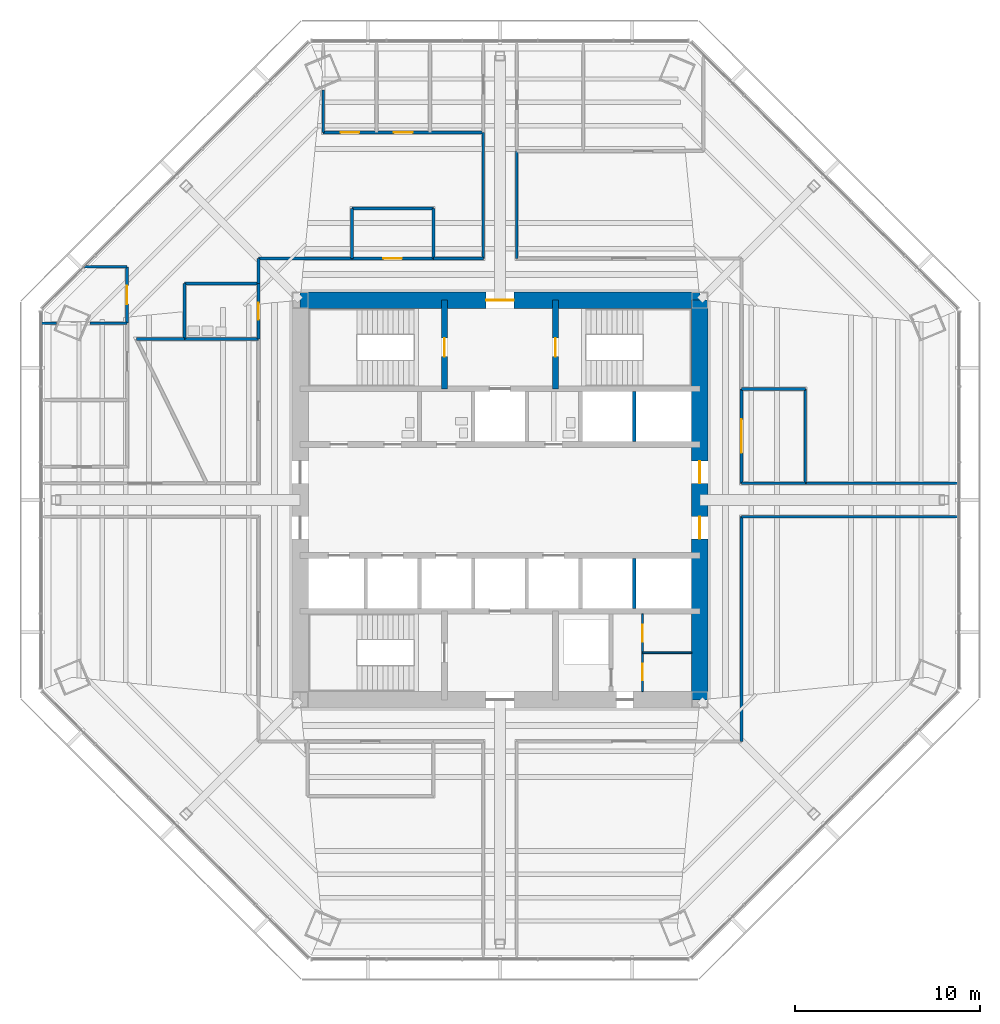
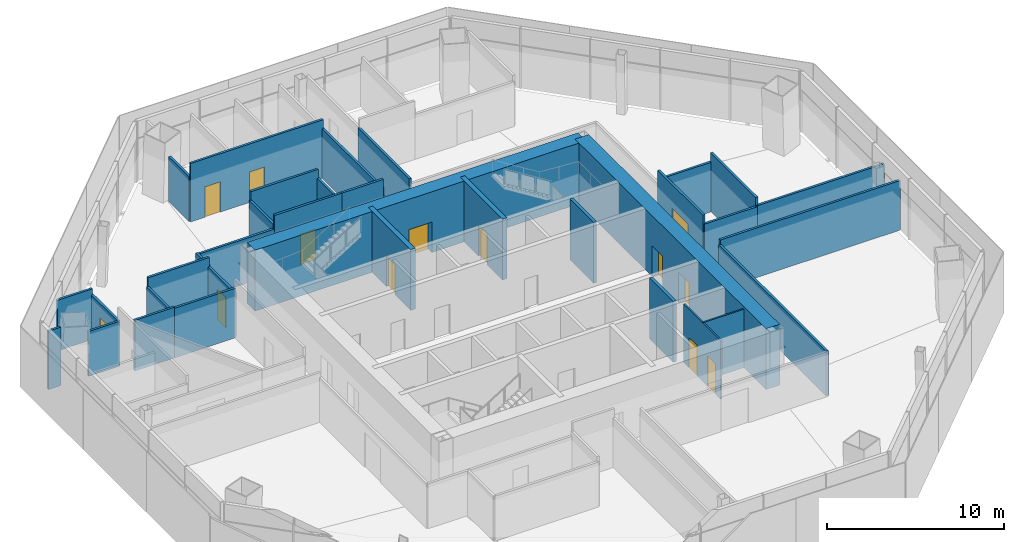
# One storey, part 10 of 14: 35 walls, 13 doors, 13 openings.
"""IFC4 building model written with IfcOpenShell, lengths in metres."""

from ifc_helpers import new_model, si_unit, direction, frame, frame_2d, origin, place, context, subcontext, project, spatial, rectangle, extrude, material, layer, layer_set, type_object, element, fill, save


model = new_model("IFC4")

# Units and contexts
model_context = context("Model", 3, precision=1e-05, world=origin(), true_north=direction((0.0, 1.0)))
body_context = subcontext(model_context, "Body", "Model", "MODEL_VIEW")
ifc_project = project(units=[si_unit("LENGTHUNIT", "METRE"), si_unit("AREAUNIT", "SQUARE_METRE"), si_unit("VOLUMEUNIT", "CUBIC_METRE"), si_unit("PLANEANGLEUNIT", "RADIAN"), si_unit("MASSUNIT", "GRAM", prefix="KILO")], contexts=[model_context])

# Site, building, storey
site_placement = place(None, origin())
site = spatial("IfcSite", under=ifc_project, at=site_placement, CompositionType="ELEMENT")
building_placement = place(site_placement, origin())
building = spatial("IfcBuilding", under=site, at=building_placement, Name="Mashrafa Tower", CompositionType="ELEMENT")
storey_placement = place(building_placement, frame((0.0, 0.0, 113.39990234375)))
storey = spatial("IfcBuildingStorey", under=building, at=storey_placement, Name="L25", CompositionType="ELEMENT", Elevation=113.39990234375)

# Wall, opening, door
ifc_material_1 = material(Name="Concrete C60/75", Category="concrete")
ifc_layer_1 = layer(ifc_material_1, 0.300048828125)
ifc_layer_set_1 = layer_set([ifc_layer_1], Name="Core wall 300 C60/75")
wall_type_1 = type_object("IfcWallType", Name="Core wall 300 C60/75", PredefinedType="SOLIDWALL", material=ifc_layer_set_1)
wall_1_placement = place(storey_placement, frame((-3.0, 6.0, 0.0), z_axis=(0.0, 0.0, 1.0), x_axis=(0.0, 1.0, 0.0)))
wall_1 = element("IfcWall", 1, at=wall_1_placement, inside=storey, type_object=wall_type_1, Name="Core wall CX-NW L25", PredefinedType="SOLIDWALL", context=body_context, shape_type="SweptSolid", body=[
    extrude(rectangle(XDim=4.800048828125, YDim=0.300048828125, at=frame_2d((2.39990234375, 0.0))), origin(), (0.0, 0.0, 1.0), 4.2001953125),
])
opening_1_placement = place(wall_1_placement, frame((1.75, 0.0, 0.0)))
opening_1 = element("IfcOpeningElement", 2, at=opening_1_placement, cuts=wall_1, Name="Opening 25.024", PredefinedType="OPENING", context=body_context, shape_type="SweptSolid", body=[
    extrude(rectangle(XDim=1.0, YDim=2.10009765625, at=frame_2d((0.5, 1.050048828125))), frame((0.0, 0.159912109375, 0.0), z_axis=(0.0, -1.0, 0.0), x_axis=(1.0, 0.0, 0.0)), (0.0, 0.0, 1.0), 0.320068359375),
])
ifc_material_2 = material(Name="Steel door", Category="steel")
door_type_1 = type_object("IfcDoorType", Name="Stair door 1000 x 2100 90 min", OperationType="USERDEFINED", PredefinedType="DOOR", material=ifc_material_2)
door_1_placement = place(opening_1_placement, origin())
door_1 = element("IfcDoor", 3, at=door_1_placement, inside=storey, type_object=door_type_1, Name="Stair S1 door L25", OperationType="SINGLE_SWING_LEFT", OverallHeight=2.10009765625, OverallWidth=1.0, PredefinedType="DOOR", context=body_context, shape_type="SweptSolid", body=[
    extrude(rectangle(XDim=1.0, YDim=2.10009765625, at=frame_2d((0.5, 1.050048828125))), frame((0.0, 0.02490234375, 0.0), z_axis=(0.0, -1.0, 0.0), x_axis=(1.0, 0.0, 0.0)), (0.0, 0.0, 1.0), 0.050048828125),
])
fill(opening_1, door_1)

wall_2_placement = place(storey_placement, frame((3.0, 6.0, 0.0), z_axis=(0.0, 0.0, 1.0), x_axis=(0.0, 1.0, 0.0)))
wall_2 = element("IfcWall", 4, at=wall_2_placement, inside=storey, type_object=wall_type_1, Name="Core wall CX-NE L25", PredefinedType="SOLIDWALL", context=body_context, shape_type="SweptSolid", body=[
    extrude(rectangle(XDim=4.800048828125, YDim=0.300048828125, at=frame_2d((2.39990234375, 0.0))), origin(), (0.0, 0.0, 1.0), 4.2001953125),
])
opening_2_placement = place(wall_2_placement, frame((1.75, 0.0, 0.0)))
opening_2 = element("IfcOpeningElement", 5, at=opening_2_placement, cuts=wall_2, Name="Opening 25.025", PredefinedType="OPENING", context=body_context, shape_type="SweptSolid", body=[
    extrude(rectangle(XDim=1.0, YDim=2.10009765625, at=frame_2d((0.5, 1.050048828125))), frame((0.0, 0.159912109375, 0.0), z_axis=(0.0, -1.0, 0.0), x_axis=(1.0, 0.0, 0.0)), (0.0, 0.0, 1.0), 0.320068359375),
])
door_2_placement = place(opening_2_placement, frame((1.0, 0.0, 0.0), z_axis=(0.0, 0.0, 1.0), x_axis=(-1.0, 0.0, 0.0)))
door_2 = element("IfcDoor", 6, at=door_2_placement, inside=storey, type_object=door_type_1, Name="Stair S2 door L25", OperationType="SINGLE_SWING_RIGHT", OverallHeight=2.10009765625, OverallWidth=1.0, PredefinedType="DOOR", context=body_context, shape_type="SweptSolid", body=[
    extrude(rectangle(XDim=1.0, YDim=2.10009765625, at=frame_2d((0.5, 1.050048828125))), frame((0.0, 0.02490234375, 0.0), z_axis=(0.0, -1.0, 0.0), x_axis=(1.0, 0.0, 0.0)), (0.0, 0.0, 1.0), 0.050048828125),
])
fill(opening_2, door_2)

# Wall, openings, doors
ifc_material_3 = material(Name="Concrete C60/75", Category="concrete")
ifc_layer_2 = layer(ifc_material_3, 0.89990234375)
ifc_layer_set_2 = layer_set([ifc_layer_2], Name="Core wall 900 C60/75")
wall_type_2 = type_object("IfcWallType", Name="Core wall 900 C60/75", PredefinedType="SOLIDWALL", material=ifc_layer_set_2)
wall_3_placement = place(storey_placement, frame((10.800048828125, -10.800048828125, 0.0), z_axis=(0.0, 0.0, 1.0), x_axis=(0.0, 1.0, 0.0)))
wall_3 = element("IfcWall", 7, at=wall_3_placement, inside=storey, type_object=wall_type_2, Name="Core wall CW-E L25", PredefinedType="SOLIDWALL", context=body_context, shape_type="SweptSolid", body=[
    extrude(rectangle(XDim=21.60009765625, YDim=0.89990234375, at=frame_2d((10.800048828125, 0.0))), origin(), (0.0, 0.0, 1.0), 4.2001953125),
])
opening_3_placement = place(wall_3_placement, frame((11.699951171875, 0.0, 0.0)))
opening_3 = element("IfcOpeningElement", 8, at=opening_3_placement, cuts=wall_3, Name="Opening 25.018", PredefinedType="OPENING", context=body_context, shape_type="SweptSolid", body=[
    extrude(rectangle(XDim=1.199951171875, YDim=2.10009765625, at=frame_2d((0.60009765625, 1.050048828125))), frame((0.0, 0.4599609375, 0.0), z_axis=(0.0, -1.0, 0.0), x_axis=(1.0, 0.0, 0.0)), (0.0, 0.0, 1.0), 0.919921875),
])
opening_4_placement = place(wall_3_placement, frame((8.699951171875, 0.0, 0.0)))
opening_4 = element("IfcOpeningElement", 9, at=opening_4_placement, cuts=wall_3, Name="Opening 25.020", PredefinedType="OPENING", context=body_context, shape_type="SweptSolid", body=[
    extrude(rectangle(XDim=1.199951171875, YDim=2.10009765625, at=frame_2d((0.60009765625, 1.050048828125))), frame((0.0, 0.4599609375, 0.0), z_axis=(0.0, -1.0, 0.0), x_axis=(1.0, 0.0, 0.0)), (0.0, 0.0, 1.0), 0.919921875),
])
ifc_material_4 = material(Name="Steel door", Category="steel")
door_type_2 = type_object("IfcDoorType", Name="Lift hall door 1200 x 2100 90 min", OperationType="USERDEFINED", PredefinedType="DOOR", material=ifc_material_4)
door_3_placement = place(opening_3_placement, frame((1.199951171875, 0.0, 0.0), z_axis=(0.0, 0.0, 1.0), x_axis=(-1.0, 0.0, 0.0)))
door_3 = element("IfcDoor", 10, at=door_3_placement, inside=storey, type_object=door_type_2, Name="Lift hall door east L25", OperationType="SINGLE_SWING_LEFT", OverallHeight=2.10009765625, OverallWidth=1.199951171875, PredefinedType="DOOR", context=body_context, shape_type="SweptSolid", body=[
    extrude(rectangle(XDim=1.199951171875, YDim=2.10009765625, at=frame_2d((0.60009765625, 1.050048828125))), frame((0.0, 0.02490234375, 0.0), z_axis=(0.0, -1.0, 0.0), x_axis=(1.0, 0.0, 0.0)), (0.0, 0.0, 1.0), 0.050048828125),
])
fill(opening_3, door_3)
door_4_placement = place(opening_4_placement, frame((1.199951171875, 0.0, 0.0), z_axis=(0.0, 0.0, 1.0), x_axis=(-1.0, 0.0, 0.0)))
door_4 = element("IfcDoor", 11, at=door_4_placement, inside=storey, type_object=door_type_2, Name="Lift hall door east L25", OperationType="SINGLE_SWING_RIGHT", OverallHeight=2.10009765625, OverallWidth=1.199951171875, PredefinedType="DOOR", context=body_context, shape_type="SweptSolid", body=[
    extrude(rectangle(XDim=1.199951171875, YDim=2.10009765625, at=frame_2d((0.60009765625, 1.050048828125))), frame((0.0, 0.02490234375, 0.0), z_axis=(0.0, -1.0, 0.0), x_axis=(1.0, 0.0, 0.0)), (0.0, 0.0, 1.0), 0.050048828125),
])
fill(opening_4, door_4)

# Wall, opening, door
wall_4_placement = place(storey_placement, frame((10.800048828125, 10.800048828125, 0.0), z_axis=(0.0, 0.0, 1.0), x_axis=(-1.0, 0.0, 0.0)))
wall_4 = element("IfcWall", 12, at=wall_4_placement, inside=storey, type_object=wall_type_2, Name="Core wall CW-N L25", PredefinedType="SOLIDWALL", context=body_context, shape_type="SweptSolid", body=[
    extrude(rectangle(XDim=21.60009765625, YDim=0.89990234375, at=frame_2d((10.800048828125, 0.0))), origin(), (0.0, 0.0, 1.0), 4.2001953125),
])
opening_5_placement = place(wall_4_placement, frame((10.050048828125, 0.0, 0.0)))
opening_5 = element("IfcOpeningElement", 13, at=opening_5_placement, cuts=wall_4, Name="Opening 25.022", PredefinedType="OPENING", context=body_context, shape_type="SweptSolid", body=[
    extrude(rectangle(XDim=1.5, YDim=2.10009765625, at=frame_2d((0.75, 1.050048828125))), frame((0.0, 0.4599609375, 0.0), z_axis=(0.0, -1.0, 0.0), x_axis=(1.0, 0.0, 0.0)), (0.0, 0.0, 1.0), 0.919921875),
])
ifc_material_5 = material(Name="Steel door", Category="steel")
door_type_3 = type_object("IfcDoorType", Name="Lobby door pair 1500 x 2100 90 min", OperationType="DOUBLE_DOOR_SINGLE_SWING", PredefinedType="DOOR", material=ifc_material_5)
door_5_placement = place(opening_5_placement, origin())
door_5 = element("IfcDoor", 14, at=door_5_placement, inside=storey, type_object=door_type_3, Name="Fire-fighting lobby F1 door L25", OperationType="DOUBLE_DOOR_SINGLE_SWING", OverallHeight=2.10009765625, OverallWidth=1.5, PredefinedType="DOOR", context=body_context, shape_type="SweptSolid", body=[
    extrude(rectangle(XDim=1.5, YDim=2.10009765625, at=frame_2d((0.75, 1.050048828125))), frame((0.0, 0.02490234375, 0.0), z_axis=(0.0, -1.0, 0.0), x_axis=(1.0, 0.0, 0.0)), (0.0, 0.0, 1.0), 0.050048828125),
])
fill(opening_5, door_5)

ifc_material_6 = material(Name="Gypsum board on steel studs", Category="steel")
ifc_layer_3 = layer(ifc_material_6, 0.14990234375)
ifc_layer_set_3 = layer_set([ifc_layer_3], Name="Corridor partition 150 1 hr")
wall_type_3 = type_object("IfcWallType", Name="Corridor partition 150 1 hr", PredefinedType="PARTITIONING", material=ifc_layer_set_3)
wall_5_placement = place(storey_placement, frame((-13.050048828125, 11.700927734375, 0.0), z_axis=(0.0, 0.0, 1.0), x_axis=(0.0, -1.0, 0.0)))
wall_5 = element("IfcWall", 15, at=wall_5_placement, inside=storey, type_object=wall_type_3, Name="Corridor wall L25-003", PredefinedType="PARTITIONING", context=body_context, shape_type="SweptSolid", body=[
    extrude(rectangle(XDim=3.001953125, YDim=0.14990234375, at=frame_2d((1.5009765625, 0.0))), origin(), (0.0, 0.0, 1.0), 3.097900390625),
])
opening_6_placement = place(wall_5_placement, frame((1.051025390625, 0.0, 0.0)))
opening_6 = element("IfcOpeningElement", 16, at=opening_6_placement, cuts=wall_5, Name="Opening 25.002", PredefinedType="OPENING", context=body_context, shape_type="SweptSolid", body=[
    extrude(rectangle(XDim=0.89990234375, YDim=2.10009765625, at=frame_2d((0.449951171875, 1.050048828125))), frame((0.0, 0.0849609375, 0.0), z_axis=(0.0, -1.0, 0.0), x_axis=(1.0, 0.0, 0.0)), (0.0, 0.0, 1.0), 0.169921875),
])
ifc_material_7 = material(Name="Timber door", Category="wood")
door_type_4 = type_object("IfcDoorType", Name="Toilet door 900 x 2100", OperationType="USERDEFINED", PredefinedType="DOOR", material=ifc_material_7)
door_6_placement = place(opening_6_placement, frame((0.89990234375, 0.0, 0.0), z_axis=(0.0, 0.0, 1.0), x_axis=(-1.0, 0.0, 0.0)))
door_6 = element("IfcDoor", 17, at=door_6_placement, inside=storey, type_object=door_type_4, Name="Ablution Room L25 door", OperationType="SINGLE_SWING_RIGHT", OverallHeight=2.10009765625, OverallWidth=0.89990234375, PredefinedType="DOOR", context=body_context, shape_type="SweptSolid", body=[
    extrude(rectangle(XDim=0.89990234375, YDim=2.10009765625, at=frame_2d((0.449951171875, 1.050048828125))), frame((0.0, 0.02490234375, 0.0), z_axis=(0.0, -1.0, 0.0), x_axis=(1.0, 0.0, 0.0)), (0.0, 0.0, 1.0), 0.050048828125),
])
fill(opening_6, door_6)

# Wall
wall_6_placement = place(storey_placement, frame((16.5009765625, 0.89990234375, 0.0), z_axis=(0.0, 0.0, 1.0), x_axis=(-1.0, 0.0, 0.0)))
element("IfcWall", 18, at=wall_6_placement, inside=storey, type_object=wall_type_3, Name="Corridor wall L25-004", PredefinedType="PARTITIONING", context=body_context, shape_type="SweptSolid", body=[
    extrude(rectangle(XDim=3.450927734375, YDim=0.14990234375, at=frame_2d((1.7255859375, 0.0))), origin(), (0.0, 0.0, 1.0), 3.42578125),
])

# Wall, opening, door
wall_7_placement = place(storey_placement, frame((13.050048828125, 0.89990234375, 0.0), z_axis=(0.0, 0.0, 1.0), x_axis=(0.0, 1.0, 0.0)))
wall_7 = element("IfcWall", 19, at=wall_7_placement, inside=storey, type_object=wall_type_3, Name="Corridor wall L25-005", PredefinedType="PARTITIONING", context=body_context, shape_type="SweptSolid", body=[
    extrude(rectangle(XDim=5.10107421875, YDim=0.14990234375, at=frame_2d((2.550537109375, 0.0))), origin(), (0.0, 0.0, 1.0), 4.03515625),
])
opening_7_placement = place(wall_7_placement, frame((1.650390625, 0.0, 0.0)))
opening_7 = element("IfcOpeningElement", 20, at=opening_7_placement, cuts=wall_7, Name="Opening 25.003", PredefinedType="OPENING", context=body_context, shape_type="SweptSolid", body=[
    extrude(rectangle(XDim=1.800048828125, YDim=2.39990234375, at=frame_2d((0.89990234375, 1.199951171875))), frame((0.0, 0.0849609375, 0.0), z_axis=(0.0, -1.0, 0.0), x_axis=(1.0, 0.0, 0.0)), (0.0, 0.0, 1.0), 0.169921875),
])
ifc_material_8 = material(Name="Steel door", Category="steel")
door_type_5 = type_object("IfcDoorType", Name="Door pair 1800 x 2400 90 min", OperationType="DOUBLE_DOOR_SINGLE_SWING", PredefinedType="DOOR", material=ifc_material_8)
door_7_placement = place(opening_7_placement, origin())
door_7 = element("IfcDoor", 21, at=door_7_placement, inside=storey, type_object=door_type_5, Name="Reception Majlis 25 door", OperationType="DOUBLE_DOOR_SINGLE_SWING", OverallHeight=2.39990234375, OverallWidth=1.800048828125, PredefinedType="DOOR", context=body_context, shape_type="SweptSolid", body=[
    extrude(rectangle(XDim=1.800048828125, YDim=2.39990234375, at=frame_2d((0.89990234375, 1.199951171875))), frame((0.0, 0.02490234375, 0.0), z_axis=(0.0, -1.0, 0.0), x_axis=(1.0, 0.0, 0.0)), (0.0, 0.0, 1.0), 0.050048828125),
])
fill(opening_7, door_7)

wall_8_placement = place(storey_placement, frame((-3.59912109375, 13.050048828125, 0.0), z_axis=(0.0, 0.0, 1.0), x_axis=(-1.0, 0.0, 0.0)))
wall_8 = element("IfcWall", 22, at=wall_8_placement, inside=storey, type_object=wall_type_3, Name="Corridor wall L25-008", PredefinedType="PARTITIONING", context=body_context, shape_type="SweptSolid", body=[
    extrude(rectangle(XDim=4.40185546875, YDim=0.14990234375, at=frame_2d((2.200927734375, 0.0))), origin(), (0.0, 0.0, 1.0), 4.03515625),
])
opening_8_placement = place(wall_8_placement, frame((1.700927734375, 0.0, 0.0)))
opening_8 = element("IfcOpeningElement", 23, at=opening_8_placement, cuts=wall_8, Name="Opening 25.007", PredefinedType="OPENING", context=body_context, shape_type="SweptSolid", body=[
    extrude(rectangle(XDim=1.0, YDim=2.10009765625, at=frame_2d((0.5, 1.050048828125))), frame((0.0, 0.0849609375, 0.0), z_axis=(0.0, -1.0, 0.0), x_axis=(1.0, 0.0, 0.0)), (0.0, 0.0, 1.0), 0.169921875),
])
ifc_material_9 = material(Name="Timber door", Category="wood")
door_type_6 = type_object("IfcDoorType", Name="Door 1000 x 2100", OperationType="USERDEFINED", PredefinedType="DOOR", material=ifc_material_9)
door_8_placement = place(opening_8_placement, frame((1.0, 0.0, 0.0), z_axis=(0.0, 0.0, 1.0), x_axis=(-1.0, 0.0, 0.0)))
door_8 = element("IfcDoor", 24, at=door_8_placement, inside=storey, type_object=door_type_6, Name="Pantry 25 door", OperationType="SINGLE_SWING_LEFT", OverallHeight=2.10009765625, OverallWidth=1.0, PredefinedType="DOOR", context=body_context, shape_type="SweptSolid", body=[
    extrude(rectangle(XDim=1.0, YDim=2.10009765625, at=frame_2d((0.5, 1.050048828125))), frame((0.0, 0.02490234375, 0.0), z_axis=(0.0, -1.0, 0.0), x_axis=(1.0, 0.0, 0.0)), (0.0, 0.0, 1.0), 0.050048828125),
])
fill(opening_8, door_8)

# Walls
wall_9_placement = place(storey_placement, frame((0.89990234375, 13.050048828125, 0.0), z_axis=(0.0, 0.0, 1.0), x_axis=(0.0, 1.0, 0.0)))
element("IfcWall", 25, at=wall_9_placement, inside=storey, type_object=wall_type_3, Name="Corridor wall L25-012", PredefinedType="PARTITIONING", context=body_context, shape_type="SweptSolid", body=[
    extrude(rectangle(XDim=5.807861328125, YDim=0.14990234375, at=frame_2d((2.90380859375, 0.0))), origin(), (0.0, 0.0, 1.0), 3.42578125),
])
wall_10_placement = place(storey_placement, frame((24.788818359375, 0.89990234375, 0.0), z_axis=(0.0, 0.0, 1.0), x_axis=(-1.0, 0.0, 0.0)))
element("IfcWall", 26, at=wall_10_placement, inside=storey, type_object=wall_type_3, Name="Corridor wall L25-013", PredefinedType="PARTITIONING", context=body_context, shape_type="SweptSolid", body=[
    extrude(rectangle(XDim=8.289794921875, YDim=0.14990234375, at=frame_2d((4.14501953125, 0.0))), origin(), (0.0, 0.0, 1.0), 3.49169921875),
])
wall_11_placement = place(storey_placement, frame((-7.9990234375, 13.050048828125, 0.0), z_axis=(0.0, 0.0, 1.0), x_axis=(-1.0, 0.0, 0.0)))
element("IfcWall", 27, at=wall_11_placement, inside=storey, type_object=wall_type_3, Name="Corridor wall L25-015", PredefinedType="PARTITIONING", context=body_context, shape_type="SweptSolid", body=[
    extrude(rectangle(XDim=5.051025390625, YDim=0.14990234375, at=frame_2d((2.525390625, 0.0))), origin(), (0.0, 0.0, 1.0), 3.097900390625),
])
wall_12_placement = place(storey_placement, frame((-13.050048828125, 13.050048828125, 0.0), z_axis=(0.0, 0.0, 1.0), x_axis=(0.0, -1.0, 0.0)))
element("IfcWall", 28, at=wall_12_placement, inside=storey, type_object=wall_type_3, Name="Corridor wall L25-016", PredefinedType="PARTITIONING", context=body_context, shape_type="SweptSolid", body=[
    extrude(rectangle(XDim=1.35107421875, YDim=0.14990234375, at=frame_2d((0.675537109375, 0.0))), origin(), (0.0, 0.0, 1.0), 3.184326171875),
])
wall_13_placement = place(storey_placement, frame((-0.89990234375, 19.85791015625, 0.0), z_axis=(0.0, 0.0, 1.0), x_axis=(0.0, -1.0, 0.0)))
element("IfcWall", 29, at=wall_13_placement, inside=storey, type_object=wall_type_3, Name="Corridor wall L25-017", PredefinedType="PARTITIONING", context=body_context, shape_type="SweptSolid", body=[
    extrude(rectangle(XDim=6.807861328125, YDim=0.14990234375, at=frame_2d((3.40380859375, 0.0))), origin(), (0.0, 0.0, 1.0), 3.42578125),
])
wall_14_placement = place(storey_placement, frame((-0.89990234375, 13.050048828125, 0.0), z_axis=(0.0, 0.0, 1.0), x_axis=(-1.0, 0.0, 0.0)))
element("IfcWall", 30, at=wall_14_placement, inside=storey, type_object=wall_type_3, Name="Corridor wall L25-018", PredefinedType="PARTITIONING", context=body_context, shape_type="SweptSolid", body=[
    extrude(rectangle(XDim=2.701171875, YDim=0.14990234375, at=frame_2d((1.3505859375, 0.0))), origin(), (0.0, 0.0, 1.0), 4.03515625),
])
wall_15_placement = place(storey_placement, frame((13.050048828125, -13.050048828125, 0.0), z_axis=(0.0, 0.0, 1.0), x_axis=(0.0, 1.0, 0.0)))
element("IfcWall", 31, at=wall_15_placement, inside=storey, type_object=wall_type_3, Name="Corridor wall L25-026", PredefinedType="PARTITIONING", context=body_context, shape_type="SweptSolid", body=[
    extrude(rectangle(XDim=12.150146484375, YDim=0.14990234375, at=frame_2d((6.0751953125, 0.0))), origin(), (0.0, 0.0, 1.0), 3.097900390625),
])
wall_16_placement = place(storey_placement, frame((13.050048828125, -0.89990234375, 0.0), z_axis=(0.0, 0.0, 1.0), x_axis=(1.0, 0.0, 0.0)))
element("IfcWall", 32, at=wall_16_placement, inside=storey, type_object=wall_type_3, Name="Corridor wall L25-027", PredefinedType="PARTITIONING", context=body_context, shape_type="SweptSolid", body=[
    extrude(rectangle(XDim=11.73876953125, YDim=0.14990234375, at=frame_2d((5.869384765625, 0.0))), origin(), (0.0, 0.0, 1.0), 3.42578125),
])
wall_17_placement = place(storey_placement, frame((16.5, 0.89990234375, 0.0), z_axis=(0.0, 0.0, 1.0), x_axis=(0.0, 1.0, 0.0)))
element("IfcWall", 33, at=wall_17_placement, inside=storey, type_object=wall_type_3, Name="Corridor wall L25-033", PredefinedType="PARTITIONING", context=body_context, shape_type="SweptSolid", body=[
    extrude(rectangle(XDim=5.10009765625, YDim=0.14990234375, at=frame_2d((2.550048828125, 0.0))), origin(), (0.0, 0.0, 1.0), 4.03515625),
])
wall_18_placement = place(storey_placement, frame((16.5, 6.0, 0.0), z_axis=(0.0, 0.0, 1.0), x_axis=(-1.0, 0.0, 0.0)))
element("IfcWall", 34, at=wall_18_placement, inside=storey, type_object=wall_type_3, Name="Corridor wall L25-034", PredefinedType="PARTITIONING", context=body_context, shape_type="SweptSolid", body=[
    extrude(rectangle(XDim=3.449951171875, YDim=0.14990234375, at=frame_2d((1.72509765625, 0.0))), origin(), (0.0, 0.0, 1.0), 3.42578125),
])

# Wall, openings, doors
ifc_material_10 = material(Name="Gypsum board on steel studs", Category="steel")
ifc_layer_4 = layer(ifc_material_10, 0.10009765625)
ifc_layer_set_4 = layer_set([ifc_layer_4], Name="Partition 100 1 hr")
wall_type_4 = type_object("IfcWallType", Name="Partition 100 1 hr", PredefinedType="PARTITIONING", material=ifc_layer_set_4)
wall_19_placement = place(storey_placement, frame((7.699951171875, -10.35009765625, 0.0), z_axis=(0.0, 0.0, 1.0), x_axis=(0.0, 1.0, 0.0)))
wall_19 = element("IfcWall", 35, at=wall_19_placement, inside=storey, type_object=wall_type_4, Name="Services lobby partition A L25", PredefinedType="PARTITIONING", context=body_context, shape_type="SweptSolid", body=[
    extrude(rectangle(XDim=4.2001953125, YDim=0.10009765625, at=frame_2d((2.10009765625, 0.0))), origin(), (0.0, 0.0, 1.0), 4.03515625),
])
opening_9_placement = place(wall_19_placement, frame((2.699951171875, 0.0, 0.0)))
opening_9 = element("IfcOpeningElement", 36, at=opening_9_placement, cuts=wall_19, Name="Opening 25.029", PredefinedType="OPENING", context=body_context, shape_type="SweptSolid", body=[
    extrude(rectangle(XDim=0.89990234375, YDim=2.10009765625, at=frame_2d((0.449951171875, 1.050048828125))), frame((0.0, 0.06005859375, 0.0), z_axis=(0.0, -1.0, 0.0), x_axis=(1.0, 0.0, 0.0)), (0.0, 0.0, 1.0), 0.1201171875),
])
opening_10_placement = place(wall_19_placement, frame((0.60009765625, 0.0, 0.0)))
opening_10 = element("IfcOpeningElement", 37, at=opening_10_placement, cuts=wall_19, Name="Opening 25.030", PredefinedType="OPENING", context=body_context, shape_type="SweptSolid", body=[
    extrude(rectangle(XDim=0.89990234375, YDim=2.10009765625, at=frame_2d((0.449951171875, 1.050048828125))), frame((0.0, 0.06005859375, 0.0), z_axis=(0.0, -1.0, 0.0), x_axis=(1.0, 0.0, 0.0)), (0.0, 0.0, 1.0), 0.1201171875),
])
ifc_material_11 = material(Name="Timber door", Category="wood")
door_type_7 = type_object("IfcDoorType", Name="Store door 900 x 2100", OperationType="USERDEFINED", PredefinedType="DOOR", material=ifc_material_11)
door_9_placement = place(opening_9_placement, frame((0.89990234375, 0.0, 0.0), z_axis=(0.0, 0.0, 1.0), x_axis=(-1.0, 0.0, 0.0)))
door_9 = element("IfcDoor", 38, at=door_9_placement, inside=storey, type_object=door_type_7, Name="Tenant Store L25 door", OperationType="SINGLE_SWING_RIGHT", OverallHeight=2.10009765625, OverallWidth=0.89990234375, PredefinedType="DOOR", context=body_context, shape_type="SweptSolid", body=[
    extrude(rectangle(XDim=0.89990234375, YDim=2.10009765625, at=frame_2d((0.449951171875, 1.050048828125))), frame((0.0, 0.02490234375, 0.0), z_axis=(0.0, -1.0, 0.0), x_axis=(1.0, 0.0, 0.0)), (0.0, 0.0, 1.0), 0.050048828125),
])
fill(opening_9, door_9)
door_10_placement = place(opening_10_placement, frame((0.89990234375, 0.0, 0.0), z_axis=(0.0, 0.0, 1.0), x_axis=(-1.0, 0.0, 0.0)))
door_10 = element("IfcDoor", 39, at=door_10_placement, inside=storey, type_object=door_type_7, Name="Cleaner's Store L25 door", OperationType="SINGLE_SWING_LEFT", OverallHeight=2.10009765625, OverallWidth=0.89990234375, PredefinedType="DOOR", context=body_context, shape_type="SweptSolid", body=[
    extrude(rectangle(XDim=0.89990234375, YDim=2.10009765625, at=frame_2d((0.449951171875, 1.050048828125))), frame((0.0, 0.02490234375, 0.0), z_axis=(0.0, -1.0, 0.0), x_axis=(1.0, 0.0, 0.0)), (0.0, 0.0, 1.0), 0.050048828125),
])
fill(opening_10, door_10)

# Walls
wall_20_placement = place(storey_placement, frame((7.699951171875, -8.25, 0.0), z_axis=(0.0, 0.0, 1.0), x_axis=(1.0, 0.0, 0.0)))
element("IfcWall", 40, at=wall_20_placement, inside=storey, type_object=wall_type_4, Name="Services lobby partition B L25", PredefinedType="PARTITIONING", context=body_context, shape_type="SweptSolid", body=[
    extrude(rectangle(XDim=2.650146484375, YDim=0.10009765625, at=frame_2d((1.3251953125, 0.0))), origin(), (0.0, 0.0, 1.0), 4.03515625),
])
ifc_material_12 = material(Name="Gypsum board on steel studs", Category="steel")
ifc_layer_5 = layer(ifc_material_12, 0.14990234375)
ifc_layer_set_5 = layer_set([ifc_layer_5], Name="Partition 150")
wall_type_5 = type_object("IfcWallType", Name="Partition 150", PredefinedType="PARTITIONING", material=ifc_layer_set_5)
wall_21_placement = place(storey_placement, frame((-13.050048828125, 8.699951171875, 0.0), z_axis=(0.0, 0.0, 1.0), x_axis=(-1.0, 0.0, 0.0)))
element("IfcWall", 41, at=wall_21_placement, inside=storey, type_object=wall_type_5, Name="Partition wall L25-028", PredefinedType="PARTITIONING", context=body_context, shape_type="SweptSolid", body=[
    extrude(rectangle(XDim=4.0009765625, YDim=0.14990234375, at=frame_2d((2.00048828125, 0.0))), origin(), (0.0, 0.0, 1.0), 3.42578125),
])
wall_22_placement = place(storey_placement, frame((-17.049072265625, 8.699951171875, 0.0), z_axis=(0.0, 0.0, 1.0), x_axis=(-1.0, 0.0, 0.0)))
element("IfcWall", 42, at=wall_22_placement, inside=storey, type_object=wall_type_5, Name="Partition wall L25-029", PredefinedType="PARTITIONING", context=body_context, shape_type="SweptSolid", body=[
    extrude(rectangle(XDim=2.600830078125, YDim=0.14990234375, at=frame_2d((1.30029296875, 0.0))), origin(), (0.0, 0.0, 1.0), 3.499267578125),
])
wall_23_placement = place(storey_placement, frame((-13.050048828125, 11.699951171875, 0.0), z_axis=(0.0, 0.0, 1.0), x_axis=(-1.0, 0.0, 0.0)))
element("IfcWall", 43, at=wall_23_placement, inside=storey, type_object=wall_type_5, Name="Partition wall L25-031", PredefinedType="PARTITIONING", context=body_context, shape_type="SweptSolid", body=[
    extrude(rectangle(XDim=4.0, YDim=0.14990234375, at=frame_2d((2.0, 0.0))), origin(), (0.0, 0.0, 1.0), 3.715087890625),
])
wall_24_placement = place(storey_placement, frame((-17.050048828125, 11.699951171875, 0.0), z_axis=(0.0, 0.0, 1.0), x_axis=(0.0, -1.0, 0.0)))
element("IfcWall", 44, at=wall_24_placement, inside=storey, type_object=wall_type_5, Name="Partition wall L25-032", PredefinedType="PARTITIONING", context=body_context, shape_type="SweptSolid", body=[
    extrude(rectangle(XDim=3.0, YDim=0.14990234375, at=frame_2d((1.5, 0.0))), origin(), (0.0, 0.0, 1.0), 3.097900390625),
])
wall_25_placement = place(storey_placement, frame((-3.60009765625, 13.050048828125, 0.0), z_axis=(0.0, 0.0, 1.0), x_axis=(0.0, 1.0, 0.0)))
element("IfcWall", 45, at=wall_25_placement, inside=storey, type_object=wall_type_5, Name="Partition wall L25-042", PredefinedType="PARTITIONING", context=body_context, shape_type="SweptSolid", body=[
    extrude(rectangle(XDim=2.699951171875, YDim=0.14990234375, at=frame_2d((1.35009765625, 0.0))), origin(), (0.0, 0.0, 1.0), 3.42578125),
])
wall_26_placement = place(storey_placement, frame((-3.60009765625, 15.75, 0.0), z_axis=(0.0, 0.0, 1.0), x_axis=(-1.0, 0.0, 0.0)))
element("IfcWall", 46, at=wall_26_placement, inside=storey, type_object=wall_type_5, Name="Partition wall L25-043", PredefinedType="PARTITIONING", context=body_context, shape_type="SweptSolid", body=[
    extrude(rectangle(XDim=4.39990234375, YDim=0.14990234375, at=frame_2d((2.199951171875, 0.0))), origin(), (0.0, 0.0, 1.0), 4.03515625),
])
wall_27_placement = place(storey_placement, frame((-8.0, 15.75, 0.0), z_axis=(0.0, 0.0, 1.0), x_axis=(0.0, -1.0, 0.0)))
element("IfcWall", 47, at=wall_27_placement, inside=storey, type_object=wall_type_5, Name="Partition wall L25-044", PredefinedType="PARTITIONING", context=body_context, shape_type="SweptSolid", body=[
    extrude(rectangle(XDim=2.699951171875, YDim=0.14990234375, at=frame_2d((1.35009765625, 0.0))), origin(), (0.0, 0.0, 1.0), 3.42578125),
])
wall_28_placement = place(storey_placement, frame((-24.788818359375, 9.555908203125, 0.0), z_axis=(0.0, 0.0, 1.0), x_axis=(1.0, 0.0, 0.0)))
element("IfcWall", 48, at=wall_28_placement, inside=storey, type_object=wall_type_5, Name="Partition wall L25-045", PredefinedType="PARTITIONING", context=body_context, shape_type="SweptSolid", body=[
    extrude(rectangle(XDim=0.817626953125, YDim=0.14990234375, at=frame_2d((0.40869140625, 0.0))), origin(), (0.0, 0.0, 1.0), 4.03515625),
])
wall_29_placement = place(storey_placement, frame((-22.166748046875, 9.555908203125, 0.0), z_axis=(0.0, 0.0, 1.0), x_axis=(1.0, 0.0, 0.0)))
element("IfcWall", 49, at=wall_29_placement, inside=storey, type_object=wall_type_5, Name="Partition wall L25-046", PredefinedType="PARTITIONING", context=body_context, shape_type="SweptSolid", body=[
    extrude(rectangle(XDim=2.010009765625, YDim=0.14990234375, at=frame_2d((1.0048828125, 0.0))), origin(), (0.0, 0.0, 1.0), 3.097900390625),
])

# Wall, opening, door
wall_30_placement = place(storey_placement, frame((-20.15673828125, 9.555908203125, 0.0), z_axis=(0.0, 0.0, 1.0), x_axis=(0.0, 1.0, 0.0)))
wall_30 = element("IfcWall", 50, at=wall_30_placement, inside=storey, type_object=wall_type_5, Name="Partition wall L25-047", PredefinedType="PARTITIONING", context=body_context, shape_type="SweptSolid", body=[
    extrude(rectangle(XDim=3.044189453125, YDim=0.14990234375, at=frame_2d((1.52197265625, 0.0))), origin(), (0.0, 0.0, 1.0), 3.097900390625),
])
opening_11_placement = place(wall_30_placement, frame((1.02197265625, 0.0, 0.0)))
opening_11 = element("IfcOpeningElement", 51, at=opening_11_placement, cuts=wall_30, Name="Opening 25.008", PredefinedType="OPENING", context=body_context, shape_type="SweptSolid", body=[
    extrude(rectangle(XDim=1.0, YDim=2.10009765625, at=frame_2d((0.5, 1.050048828125))), frame((0.0, 0.0849609375, 0.0), z_axis=(0.0, -1.0, 0.0), x_axis=(1.0, 0.0, 0.0)), (0.0, 0.0, 1.0), 0.169921875),
])
door_11_placement = place(opening_11_placement, origin())
door_11 = element("IfcDoor", 52, at=door_11_placement, inside=storey, type_object=door_type_6, Name="Case Officer's Office 25-NW-1 door", OperationType="SINGLE_SWING_RIGHT", OverallHeight=2.10009765625, OverallWidth=1.0, PredefinedType="DOOR", context=body_context, shape_type="SweptSolid", body=[
    extrude(rectangle(XDim=1.0, YDim=2.10009765625, at=frame_2d((0.5, 1.050048828125))), frame((0.0, 0.02490234375, 0.0), z_axis=(0.0, -1.0, 0.0), x_axis=(1.0, 0.0, 0.0)), (0.0, 0.0, 1.0), 0.050048828125),
])
fill(opening_11, door_11)

# Wall
wall_31_placement = place(storey_placement, frame((-20.15673828125, 12.60009765625, 0.0), z_axis=(0.0, 0.0, 1.0), x_axis=(-1.0, 0.0, 0.0)))
element("IfcWall", 53, at=wall_31_placement, inside=storey, type_object=wall_type_5, Name="Partition wall L25-048", PredefinedType="PARTITIONING", context=body_context, shape_type="SweptSolid", body=[
    extrude(rectangle(XDim=2.301513671875, YDim=0.14990234375, at=frame_2d((1.15087890625, 0.0))), origin(), (0.0, 0.0, 1.0), 3.499267578125),
])

# Wall, openings, doors
wall_32_placement = place(storey_placement, frame((-0.89990234375, 19.856689453125, 0.0), z_axis=(0.0, 0.0, 1.0), x_axis=(-1.0, 0.0, 0.0)))
wall_32 = element("IfcWall", 54, at=wall_32_placement, inside=storey, type_object=wall_type_5, Name="Partition wall L25-054", PredefinedType="PARTITIONING", context=body_context, shape_type="SweptSolid", body=[
    extrude(rectangle(XDim=8.656005859375, YDim=0.14990234375, at=frame_2d((4.328125, 0.0))), origin(), (0.0, 0.0, 1.0), 4.03515625),
])
opening_12_placement = place(wall_32_placement, frame((3.827880859375, 0.0, 0.0)))
opening_12 = element("IfcOpeningElement", 55, at=opening_12_placement, cuts=wall_32, Name="Opening 25.012", PredefinedType="OPENING", context=body_context, shape_type="SweptSolid", body=[
    extrude(rectangle(XDim=1.0, YDim=2.10009765625, at=frame_2d((0.5, 1.050048828125))), frame((0.0, 0.0849609375, 0.0), z_axis=(0.0, -1.0, 0.0), x_axis=(1.0, 0.0, 0.0)), (0.0, 0.0, 1.0), 0.169921875),
])
opening_13_placement = place(wall_32_placement, frame((6.71337890625, 0.0, 0.0)))
opening_13 = element("IfcOpeningElement", 56, at=opening_13_placement, cuts=wall_32, Name="Opening 25.013", PredefinedType="OPENING", context=body_context, shape_type="SweptSolid", body=[
    extrude(rectangle(XDim=1.0, YDim=2.10009765625, at=frame_2d((0.5, 1.050048828125))), frame((0.0, 0.0849609375, 0.0), z_axis=(0.0, -1.0, 0.0), x_axis=(1.0, 0.0, 0.0)), (0.0, 0.0, 1.0), 0.169921875),
])
door_12_placement = place(opening_12_placement, frame((1.0, 0.0, 0.0), z_axis=(0.0, 0.0, 1.0), x_axis=(-1.0, 0.0, 0.0)))
door_12 = element("IfcDoor", 57, at=door_12_placement, inside=storey, type_object=door_type_6, Name="Meeting Room 25-NW-1 door", OperationType="SINGLE_SWING_RIGHT", OverallHeight=2.10009765625, OverallWidth=1.0, PredefinedType="DOOR", context=body_context, shape_type="SweptSolid", body=[
    extrude(rectangle(XDim=1.0, YDim=2.10009765625, at=frame_2d((0.5, 1.050048828125))), frame((0.0, 0.02490234375, 0.0), z_axis=(0.0, -1.0, 0.0), x_axis=(1.0, 0.0, 0.0)), (0.0, 0.0, 1.0), 0.050048828125),
])
fill(opening_12, door_12)
door_13_placement = place(opening_13_placement, frame((1.0, 0.0, 0.0), z_axis=(0.0, 0.0, 1.0), x_axis=(-1.0, 0.0, 0.0)))
door_13 = element("IfcDoor", 58, at=door_13_placement, inside=storey, type_object=door_type_6, Name="Meeting Room 25-NW-2 door", OperationType="SINGLE_SWING_RIGHT", OverallHeight=2.10009765625, OverallWidth=1.0, PredefinedType="DOOR", context=body_context, shape_type="SweptSolid", body=[
    extrude(rectangle(XDim=1.0, YDim=2.10009765625, at=frame_2d((0.5, 1.050048828125))), frame((0.0, 0.02490234375, 0.0), z_axis=(0.0, -1.0, 0.0), x_axis=(1.0, 0.0, 0.0)), (0.0, 0.0, 1.0), 0.050048828125),
])
fill(opening_13, door_13)

# Walls
wall_33_placement = place(storey_placement, frame((-9.555908203125, 22.166748046875, 0.0), z_axis=(0.0, 0.0, 1.0), x_axis=(0.0, -1.0, 0.0)))
element("IfcWall", 59, at=wall_33_placement, inside=storey, type_object=wall_type_5, Name="Partition wall L25-058", PredefinedType="PARTITIONING", context=body_context, shape_type="SweptSolid", body=[
    extrude(rectangle(XDim=2.31005859375, YDim=0.14990234375, at=frame_2d((1.155029296875, 0.0))), origin(), (0.0, 0.0, 1.0), 3.097900390625),
])
ifc_material_13 = material(Name="Gypsum shaft wall on steel studs", Category="steel")
ifc_layer_6 = layer(ifc_material_13, 0.199951171875)
ifc_layer_set_6 = layer_set([ifc_layer_6], Name="Shaft divider wall 200 2 hr")
wall_type_6 = type_object("IfcWallType", Name="Shaft divider wall 200 2 hr", PredefinedType="PARTITIONING", material=ifc_layer_set_6)
for number, where, z_axis, x_axis, name in (
    (60, (7.25, 3.14990234375, 0.0), (0.0, 0.0, 1.0), (0.0, 1.0, 0.0), "Shaft divider wall N6 L25"),
    (61, (7.25, -5.85009765625, 0.0), (0.0, 0.0, 1.0), (0.0, 1.0, 0.0), "Shaft divider wall S6 L25"),
):
    element("IfcWall", number, at=place(storey_placement, frame(where, z_axis=z_axis, x_axis=x_axis)), inside=storey, type_object=wall_type_6, Name=name, PredefinedType="PARTITIONING", context=body_context, shape_type="SweptSolid", body=[
        extrude(rectangle(XDim=2.7001953125, YDim=0.199951171875, at=frame_2d((1.35009765625, 0.0))), origin(), (0.0, 0.0, 1.0), 4.2001953125),
    ])

save(model, "model.ifc")
